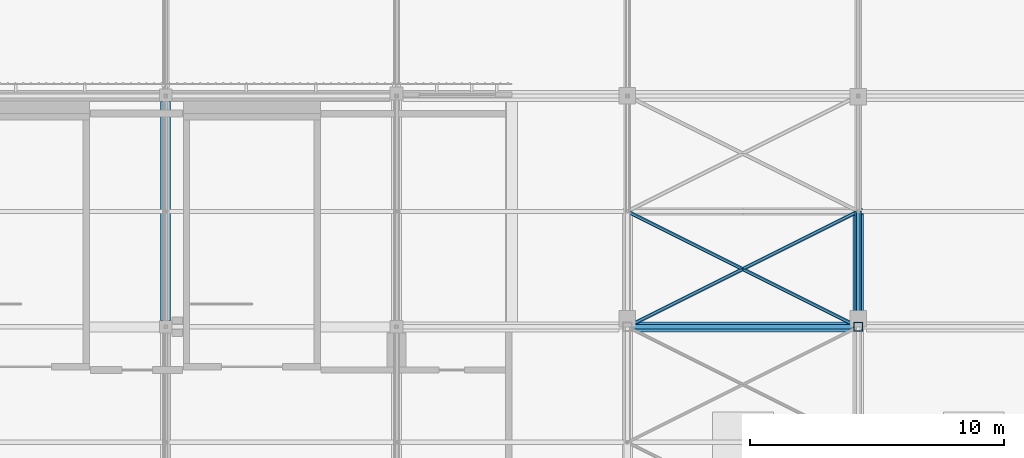
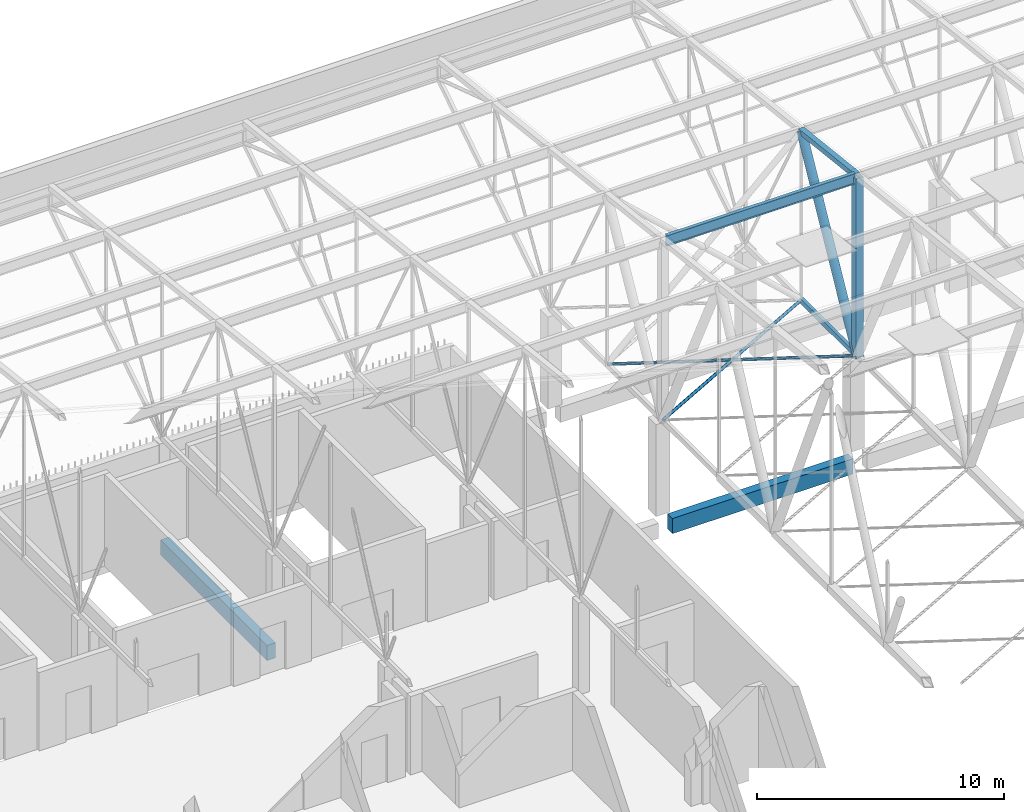
# One storey, part 244 of 500: 7 members, 2 beams.
"""IFC4 building model written with IfcOpenShell, lengths in metres."""

from ifc_helpers import new_model, si_unit, direction, frame, origin, origin_2d, place, context, subcontext, project, spatial, rectangle, hollow_rectangle, hollow_circle, i_section, extrude, material, material_profile, profile_set, type_object, element, save


model = new_model("IFC4")

# Units and contexts
model_context = context("Model", 3, precision=1e-05, world=origin(), true_north=direction((0.0, 1.0)))
body_context = subcontext(model_context, "Body", "Model", "MODEL_VIEW")
ifc_project = project(units=[si_unit("LENGTHUNIT", "METRE"), si_unit("AREAUNIT", "SQUARE_METRE"), si_unit("VOLUMEUNIT", "CUBIC_METRE"), si_unit("PLANEANGLEUNIT", "RADIAN"), si_unit("MASSUNIT", "GRAM", prefix="KILO")], contexts=[model_context])

# Site, building, storey
site_placement = place(None, origin())
site = spatial("IfcSite", under=ifc_project, at=site_placement, CompositionType="ELEMENT")
building_placement = place(site_placement, origin())
building = spatial("IfcBuilding", under=site, at=building_placement, Name="Shirokan Park Arena", CompositionType="ELEMENT")
storey_placement = place(building_placement, frame((0.0, 0.0, 29.1201171875)))
storey = spatial("IfcBuildingStorey", under=building, at=storey_placement, Name="L06", CompositionType="ELEMENT", Elevation=29.1201171875)

# Members
ifc_material_1 = material(Name="Steel ASTM A500 Grade C", Category="steel")
ifc_material_profile_1 = material_profile(ifc_material_1, hollow_rectangle(XDim=0.152099609375, YDim=0.25390625, WallThickness=0.009521484375, at=origin_2d()), Name="HSS254X152.4X9.5")
ifc_profile_set_1 = profile_set([ifc_material_profile_1], Name="Steel ASTM A500 Grade C")
member_type_1 = type_object("IfcMemberType", Name="Bottom chord HSS254X152.4X9.5", PredefinedType="CHORD", material=ifc_profile_set_1)
member_1_placement = place(storey_placement, frame((54.60009765625, 100.10009765625, 4.677001953125), z_axis=(0.0, 1.0, 0.0), x_axis=(-1.0, 0.0, 0.0)))
element("IfcMember", 1, at=member_1_placement, inside=storey, type_object=member_type_1, Name="Truss T07 bottom chord 25", PredefinedType="CHORD", context=body_context, shape_type="SweptSolid", body=[
    extrude(hollow_rectangle(XDim=0.152099609375, YDim=0.25390625, WallThickness=0.009521484375, at=origin_2d()), origin(), (0.0, 0.0, 1.0), 4.5498046875),
])
ifc_material_profile_2 = material_profile(ifc_material_1, hollow_circle(Radius=0.070556640625, WallThickness=0.009521484375, at=origin_2d()), Name="HSS141.3X9.5")
ifc_profile_set_2 = profile_set([ifc_material_profile_2], Name="Steel ASTM A500 Grade C")
member_type_2 = type_object("IfcMemberType", Name="Plan bracing HSS141.3X9.5", PredefinedType="BRACE", material=ifc_profile_set_2)
for number, where, z_axis, x_axis, name in (
    (2, (45.5, 100.10009765625, 4.677001953125), (0.8944367893, 0.447194398385, 0.0), (-0.447194398385, 0.8944367893, 0.0), "Plan bracing bay 6 panel 25 A"),
    (3, (54.60009765625, 100.10009765625, 4.677001953125), (-0.8944367893, 0.447194398385, 0.0), (-0.447194398385, -0.8944367893, 0.0), "Plan bracing bay 6 panel 25 B"),
):
    element("IfcMember", number, at=place(storey_placement, frame(where, z_axis=z_axis, x_axis=x_axis)), inside=storey, type_object=member_type_2, Name=name, PredefinedType="BRACE", context=body_context, shape_type="SweptSolid", body=[
        extrude(hollow_circle(Radius=0.070556640625, WallThickness=0.009521484375, at=origin_2d()), origin(), (0.0, 0.0, 1.0), 10.174072265625),
    ])
ifc_material_2 = material(Name="Steel ASTM A992", Category="steel")
ifc_material_profile_3 = material_profile(ifc_material_2, i_section(OverallWidth=0.166015625, OverallDepth=0.528076171875, WebThickness=0.009765625, FlangeThickness=0.013671875, at=origin_2d()), Name="W530X74")
ifc_profile_set_3 = profile_set([ifc_material_profile_3], Name="Steel ASTM A992")
member_type_3 = type_object("IfcMemberType", Name="Purlin W530X74", PredefinedType="PURLIN", material=ifc_profile_set_3)
member_2_placement = place(storey_placement, frame((45.626953125, 100.10009765625, 13.52587890625), z_axis=(1.0, 0.0, 0.0), x_axis=(0.0, 1.0, 0.0)))
element("IfcMember", 4, at=member_2_placement, inside=storey, type_object=member_type_3, Name="Purlin 25 bay 6", PredefinedType="PURLIN", context=body_context, shape_type="SweptSolid", body=[
    extrude(i_section(OverallWidth=0.166015625, OverallDepth=0.528076171875, WebThickness=0.009765625, FlangeThickness=0.013671875, at=origin_2d()), origin(), (0.0, 0.0, 1.0), 8.845947265625),
])

# Beams
ifc_material_3 = material(Name="Concrete C35", Category="concrete")
ifc_material_profile_4 = material_profile(ifc_material_3, rectangle(XDim=0.39990234375, YDim=0.75, at=origin_2d()), Name="400x750")
ifc_profile_set_4 = profile_set([ifc_material_profile_4], Name="Concrete C35")
beam_type = type_object("IfcBeamType", Name="RC girder 400x750", PredefinedType="BEAM", material=ifc_profile_set_4)
beam_1_placement = place(storey_placement, frame((45.8251953125, 100.10009765625, -0.5751953125), z_axis=(1.0, 0.0, 0.0), x_axis=(0.0, 1.0, 0.0)))
element("IfcBeam", 5, at=beam_1_placement, inside=storey, type_object=beam_type, Name="Girder 6M-7M L06", PredefinedType="BEAM", context=body_context, shape_type="SweptSolid", body=[
    extrude(rectangle(XDim=0.39990234375, YDim=0.75, at=origin_2d()), origin(), (0.0, 0.0, 1.0), 8.44970703125),
])
beam_2_placement = place(storey_placement, frame((27.300048828125, 100.35009765625, -0.5751953125), z_axis=(0.0, 1.0, 0.0), x_axis=(-1.0, 0.0, 0.0)))
element("IfcBeam", 6, at=beam_2_placement, inside=storey, type_object=beam_type, Name="Girder 4M-4N L06", PredefinedType="BEAM", context=body_context, shape_type="SweptSolid", body=[
    extrude(rectangle(XDim=0.39990234375, YDim=0.75, at=origin_2d()), origin(), (0.0, 0.0, 1.0), 8.624755859375),
])

# Members
ifc_material_profile_5 = material_profile(ifc_material_1, hollow_rectangle(XDim=0.25390625, YDim=0.25390625, WallThickness=0.009521484375, at=origin_2d()), Name="HSS254X254X9.5")
ifc_profile_set_5 = profile_set([ifc_material_profile_5], Name="Steel ASTM A500 Grade C")
member_type_4 = type_object("IfcMemberType", Name="Top chord HSS254X254X9.5", PredefinedType="CHORD", material=ifc_profile_set_5)
member_3_placement = place(storey_placement, frame((54.60009765625, 100.10009765625, 13.581298828125), z_axis=(0.0, 0.993531641592, -0.11355561261), x_axis=(-1.0, 0.0, 0.0)))
element("IfcMember", 7, at=member_3_placement, inside=storey, type_object=member_type_4, Name="Truss T07 top chord 25", PredefinedType="CHORD", context=body_context, shape_type="SweptSolid", body=[
    extrude(hollow_rectangle(XDim=0.25390625, YDim=0.25390625, WallThickness=0.009521484375, at=origin_2d()), origin(), (0.0, 0.0, 1.0), 4.579345703125),
])
ifc_material_profile_6 = material_profile(ifc_material_1, hollow_circle(Radius=0.202880859375, WallThickness=0.015869140625, at=origin_2d()), Name="HSS406.4X15.9")
ifc_profile_set_6 = profile_set([ifc_material_profile_6], Name="Steel ASTM A500 Grade C")
member_type_5 = type_object("IfcMemberType", Name="Truss diagonal HSS406.4X15.9", PredefinedType="BRACE", material=ifc_profile_set_6)
member_4_placement = place(storey_placement, frame((54.60009765625, 100.10009765625, 4.677001953125), z_axis=(0.0, 0.476957435823, 0.878926393058), x_axis=(-1.0, 0.0, 0.0)))
element("IfcMember", 8, at=member_4_placement, inside=storey, type_object=member_type_5, Name="Truss T07 diagonal 25", PredefinedType="BRACE", context=body_context, shape_type="SweptSolid", body=[
    extrude(hollow_circle(Radius=0.202880859375, WallThickness=0.015869140625, at=origin_2d()), origin(), (0.0, 0.0, 1.0), 9.539306640625),
])
ifc_material_profile_7 = material_profile(ifc_material_1, hollow_rectangle(XDim=0.35595703125, YDim=0.35595703125, WallThickness=0.015869140625, at=origin_2d()), Name="HSS355.6X355.6X15.9")
ifc_profile_set_7 = profile_set([ifc_material_profile_7], Name="Steel ASTM A500 Grade C")
member_type_6 = type_object("IfcMemberType", Name="Truss post HSS355.6X355.6X15.9", PredefinedType="POST", material=ifc_profile_set_7)
member_5_placement = place(storey_placement, frame((54.60009765625, 100.10009765625, 4.677001953125), z_axis=(0.0, 0.0, 1.0), x_axis=(1.0, 0.0, 0.0)))
element("IfcMember", 9, at=member_5_placement, inside=storey, type_object=member_type_6, Name="Truss T07 post 25", PredefinedType="POST", context=body_context, shape_type="SweptSolid", body=[
    extrude(hollow_rectangle(XDim=0.35595703125, YDim=0.35595703125, WallThickness=0.015869140625, at=origin_2d()), origin(), (0.0, 0.0, 1.0), 8.904296875),
])

save(model, "model.ifc")
